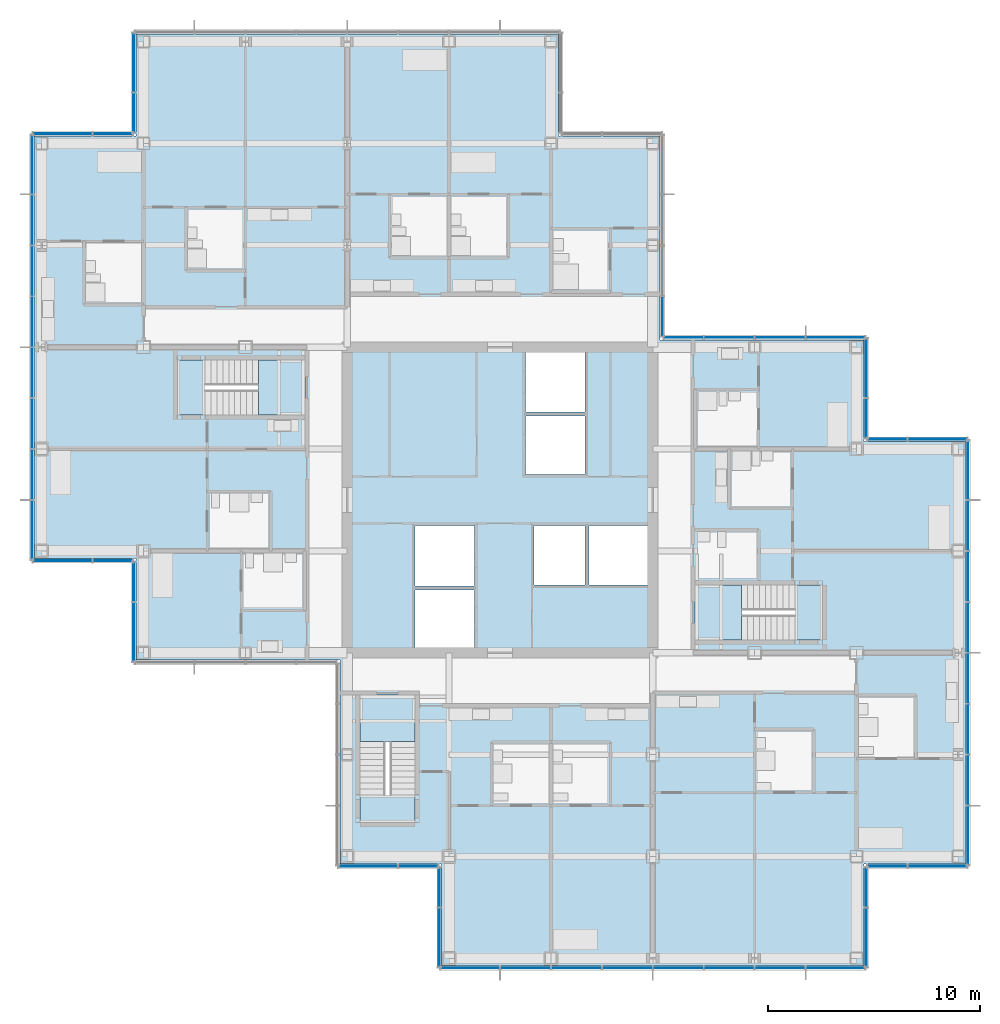
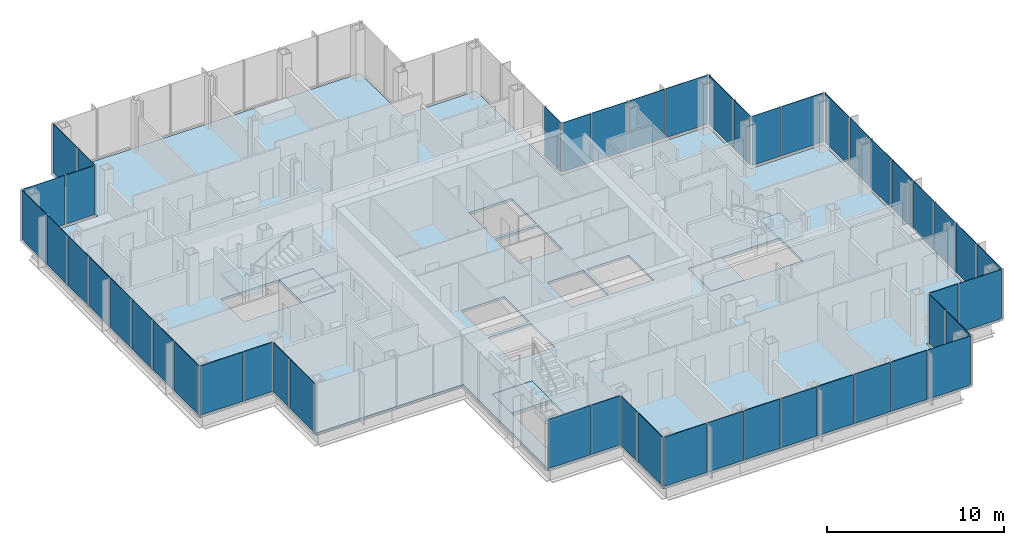
# One storey, part 12 of 20: 49 plates, 7 slabs, 18 elements without a shape of their own.
"""IFC4 building model written with IfcOpenShell, lengths in metres."""

from ifc_helpers import new_model, si_unit, direction, frame, origin, origin_2d, place, context, subcontext, project, spatial, polyline, rectangle, outline, extrude, material, layer, layer_set, type_object, element, aggregate, save


model = new_model("IFC4")

# Units and contexts
model_context = context("Model", 3, precision=1e-05, world=origin(), true_north=direction((0.0, 1.0)))
body_context = subcontext(model_context, "Body", "Model", "MODEL_VIEW")
ifc_project = project(units=[si_unit("LENGTHUNIT", "METRE"), si_unit("AREAUNIT", "SQUARE_METRE"), si_unit("VOLUMEUNIT", "CUBIC_METRE"), si_unit("PLANEANGLEUNIT", "RADIAN"), si_unit("MASSUNIT", "GRAM", prefix="KILO")], contexts=[model_context])

# Site, building, storey
site_placement = place(None, origin())
site = spatial("IfcSite", under=ifc_project, at=site_placement, CompositionType="ELEMENT")
building_placement = place(site_placement, origin())
building = spatial("IfcBuilding", under=site, at=building_placement, Name="Kvirike Care Tower", CompositionType="ELEMENT")
storey_placement = place(building_placement, frame((0.0, 0.0, 101.5)))
storey = spatial("IfcBuildingStorey", under=building, at=storey_placement, Name="L27", CompositionType="ELEMENT", Elevation=101.5)

# Slab
ifc_material_1 = material(Name="Concrete C35/45", Category="concrete")
ifc_layer_1 = layer(ifc_material_1, 0.169921875)
ifc_layer_set_1 = layer_set([ifc_layer_1], Name="FLOOR SLAB 170")
slab_type_1 = type_object("IfcSlabType", Name="FLOOR SLAB 170", PredefinedType="FLOOR", material=ifc_layer_set_1)
slab_1_placement = place(storey_placement, frame((0.0, 0.0, -0.169921875)))
element("IfcSlab", 1, at=slab_1_placement, inside=storey, type_object=slab_type_1, Name="Floor slab L27", PredefinedType="FLOOR", context=body_context, shape_type="SweptSolid", body=[
    extrude(outline(polyline([(43.550048828125, 18.85009765625), (43.550048828125, 38.75), (38.75, 38.75), (38.75, 43.550048828125), (29.14990234375, 43.550048828125), (29.14990234375, 53.14990234375), (24.35009765625, 53.14990234375), (24.35009765625, 57.949951171875), (4.449951171875, 57.949951171875), (4.449951171875, 53.14990234375), (-0.35009765625, 53.14990234375), (-0.35009765625, 33.25), (4.449951171875, 33.25), (4.449951171875, 28.449951171875), (14.050048828125, 28.449951171875), (14.050048828125, 18.85009765625), (18.85009765625, 18.85009765625), (18.85009765625, 14.050048828125), (38.75, 14.050048828125), (38.75, 18.85009765625), (43.550048828125, 18.85009765625)]), holes=[polyline([(17.60009765625, 29.050048828125), (17.60009765625, 31.75), (20.39990234375, 31.75), (20.39990234375, 29.050048828125), (17.60009765625, 29.050048828125)]), polyline([(17.60009765625, 31.949951171875), (17.60009765625, 34.800048828125), (20.39990234375, 34.800048828125), (20.39990234375, 31.949951171875), (17.60009765625, 31.949951171875)]), polyline([(22.800048828125, 37.199951171875), (22.800048828125, 39.949951171875), (25.60009765625, 39.949951171875), (25.60009765625, 37.199951171875), (22.800048828125, 37.199951171875)]), polyline([(22.800048828125, 40.14990234375), (22.800048828125, 42.949951171875), (25.60009765625, 42.949951171875), (25.60009765625, 40.14990234375), (22.800048828125, 40.14990234375)]), polyline([(23.199951171875, 32.0), (23.199951171875, 34.800048828125), (25.60009765625, 34.800048828125), (25.60009765625, 32.0), (23.199951171875, 32.0)]), polyline([(25.800048828125, 32.0), (25.800048828125, 34.800048828125), (28.550048828125, 34.800048828125), (28.550048828125, 32.0), (25.800048828125, 32.0)]), polyline([(12.39990234375, 42.60009765625), (12.39990234375, 40.0), (6.39990234375, 40.0), (6.39990234375, 42.60009765625), (12.39990234375, 42.60009765625)]), polyline([(30.800048828125, 29.39990234375), (30.800048828125, 32.0), (36.800048828125, 32.0), (36.800048828125, 29.39990234375), (30.800048828125, 29.39990234375)]), polyline([(15.0, 26.800048828125), (17.60009765625, 26.800048828125), (17.60009765625, 20.800048828125), (15.0, 20.800048828125), (15.0, 26.800048828125)])]), origin(), (0.0, 0.0, 1.0), 0.169921875),
])

# Stair, slabs
ifc_material_2 = material(Name="Concrete C35/45", Category="concrete")
stair_type = type_object("IfcStairType", Name="STAIR 20 RISERS", PredefinedType="HALF_TURN_STAIR", material=ifc_material_2)
stair_1_placement = place(storey_placement, origin())
stair_1 = element("IfcStair", 2, at=stair_1_placement, inside=storey, type_object=stair_type, Name="Stair 1 L27", PredefinedType="HALF_TURN_STAIR")
ifc_material_3 = material(Name="Concrete C35/45", Category="concrete")
ifc_layer_2 = layer(ifc_material_3, 0.199951171875)
ifc_layer_set_2 = layer_set([ifc_layer_2], Name="STAIR LANDING 200")
slab_type_2 = type_object("IfcSlabType", Name="STAIR LANDING 200", PredefinedType="LANDING", material=ifc_layer_set_2)
slab_2_placement = place(storey_placement, frame((0.0, 0.0, -0.199951171875)))
slab_2 = element("IfcSlab", 3, at=slab_2_placement, type_object=slab_type_2, Name="Stair S1 floor landing L27", PredefinedType="LANDING", context=body_context, shape_type="SweptSolid", body=[
    extrude(outline(polyline([(10.219970703125, 42.60009765625), (10.219970703125, 40.0), (12.39990234375, 40.0), (12.39990234375, 42.60009765625), (10.219970703125, 42.60009765625)])), origin(), (0.0, 0.0, 1.0), 0.199951171875),
])
slab_3_placement = place(storey_placement, frame((0.0, 0.0, 1.550048828125)))
slab_3 = element("IfcSlab", 4, at=slab_3_placement, type_object=slab_type_2, Name="Stair S1 half landing L27-L28", PredefinedType="LANDING", context=body_context, shape_type="SweptSolid", body=[
    extrude(outline(polyline([(6.39990234375, 42.60009765625), (6.39990234375, 40.0), (7.699951171875, 40.0), (7.699951171875, 42.60009765625), (6.39990234375, 42.60009765625)])), origin(), (0.0, 0.0, 1.0), 0.199951171875),
])
aggregate(stair_1, [slab_2, slab_3])

stair_2_placement = place(storey_placement, origin())
stair_2 = element("IfcStair", 5, at=stair_2_placement, inside=storey, type_object=stair_type, Name="Stair 2 L27", PredefinedType="HALF_TURN_STAIR")
slab_4_placement = place(storey_placement, frame((0.0, 0.0, -0.199951171875)))
slab_4 = element("IfcSlab", 6, at=slab_4_placement, type_object=slab_type_2, Name="Stair S2 floor landing L27", PredefinedType="LANDING", context=body_context, shape_type="SweptSolid", body=[
    extrude(outline(polyline([(32.97998046875, 29.39990234375), (32.97998046875, 32.0), (30.800048828125, 32.0), (30.800048828125, 29.39990234375), (32.97998046875, 29.39990234375)])), origin(), (0.0, 0.0, 1.0), 0.199951171875),
])
slab_5_placement = place(storey_placement, frame((0.0, 0.0, 1.550048828125)))
slab_5 = element("IfcSlab", 7, at=slab_5_placement, type_object=slab_type_2, Name="Stair S2 half landing L27-L28", PredefinedType="LANDING", context=body_context, shape_type="SweptSolid", body=[
    extrude(outline(polyline([(36.800048828125, 29.39990234375), (36.800048828125, 32.0), (35.5, 32.0), (35.5, 29.39990234375), (36.800048828125, 29.39990234375)])), origin(), (0.0, 0.0, 1.0), 0.199951171875),
])
aggregate(stair_2, [slab_4, slab_5])

stair_3_placement = place(storey_placement, origin())
stair_3 = element("IfcStair", 8, at=stair_3_placement, inside=storey, type_object=stair_type, Name="Stair 5 L27", PredefinedType="HALF_TURN_STAIR")
slab_6_placement = place(storey_placement, frame((0.0, 0.0, -0.199951171875)))
slab_6 = element("IfcSlab", 9, at=slab_6_placement, type_object=slab_type_2, Name="Stair S5 floor landing L27", PredefinedType="LANDING", context=body_context, shape_type="SweptSolid", body=[
    extrude(outline(polyline([(15.0, 24.6201171875), (17.60009765625, 24.6201171875), (17.60009765625, 26.800048828125), (15.0, 26.800048828125), (15.0, 24.6201171875)])), origin(), (0.0, 0.0, 1.0), 0.199951171875),
])
slab_7_placement = place(storey_placement, frame((0.0, 0.0, 1.550048828125)))
slab_7 = element("IfcSlab", 10, at=slab_7_placement, type_object=slab_type_2, Name="Stair S5 half landing L27-L28", PredefinedType="LANDING", context=body_context, shape_type="SweptSolid", body=[
    extrude(outline(polyline([(15.0, 20.800048828125), (17.60009765625, 20.800048828125), (17.60009765625, 22.10009765625), (15.0, 22.10009765625), (15.0, 20.800048828125)])), origin(), (0.0, 0.0, 1.0), 0.199951171875),
])
aggregate(stair_3, [slab_6, slab_7])

# Curtain wall, plates
ifc_material_4 = material(Name="Anodised aluminium stick system", Category="aluminium")
curtain_wall_type = type_object("IfcCurtainWallType", Name="CW-B STICK CURTAIN WALL", PredefinedType="NOTDEFINED", material=ifc_material_4)
curtain_wall_1_placement = place(storey_placement, origin())
curtain_wall_1 = element("IfcCurtainWall", 11, at=curtain_wall_1_placement, inside=storey, type_object=curtain_wall_type, Name="Curtain wall L27 face 1", PredefinedType="NOTDEFINED")
ifc_material_5 = material(Name="Tinted double glazed unit", Category="glass")
ifc_layer_3 = layer(ifc_material_5, 0.035888671875)
ifc_layer_set_3 = layer_set([ifc_layer_3], Name="TINTED VISION PANEL 36")
plate_type = type_object("IfcPlateType", Name="TINTED VISION PANEL 36", PredefinedType="CURTAIN_PANEL", material=ifc_layer_set_3)
plate_1_placement = place(storey_placement, frame((43.659912109375, 20.186279296875, 0.10009765625), z_axis=(0.0, 0.0, 1.0), x_axis=(0.0, 1.0, 0.0)))
plate_1 = element("IfcPlate", 12, at=plate_1_placement, type_object=plate_type, Name="CW-B panel L27 face 1.1", PredefinedType="CURTAIN_PANEL", context=body_context, shape_type="SweptSolid", body=[
    extrude(rectangle(XDim=2.762451171875, YDim=0.035888671875, at=origin_2d()), origin(), (0.0, 0.0, 1.0), 3.39990234375),
])
plate_2_placement = place(storey_placement, frame((43.659912109375, 22.800048828125, 0.10009765625), z_axis=(0.0, 0.0, 1.0), x_axis=(0.0, 1.0, 0.0)))
plate_2 = element("IfcPlate", 13, at=plate_2_placement, type_object=plate_type, Name="CW-B panel L27 face 1.2", PredefinedType="CURTAIN_PANEL", context=body_context, shape_type="SweptSolid", body=[
    extrude(rectangle(XDim=2.3349609375, YDim=0.035888671875, at=origin_2d()), origin(), (0.0, 0.0, 1.0), 3.39990234375),
])
plate_3_placement = place(storey_placement, frame((43.659912109375, 25.199951171875, 0.10009765625), z_axis=(0.0, 0.0, 1.0), x_axis=(0.0, 1.0, 0.0)))
plate_3 = element("IfcPlate", 14, at=plate_3_placement, type_object=plate_type, Name="CW-B panel L27 face 1.3", PredefinedType="CURTAIN_PANEL", context=body_context, shape_type="SweptSolid", body=[
    extrude(rectangle(XDim=2.3349609375, YDim=0.035888671875, at=origin_2d()), origin(), (0.0, 0.0, 1.0), 3.39990234375),
])
plate_4_placement = place(storey_placement, frame((43.659912109375, 27.60009765625, 0.10009765625), z_axis=(0.0, 0.0, 1.0), x_axis=(0.0, 1.0, 0.0)))
plate_4 = element("IfcPlate", 15, at=plate_4_placement, type_object=plate_type, Name="CW-B panel L27 face 1.4", PredefinedType="CURTAIN_PANEL", context=body_context, shape_type="SweptSolid", body=[
    extrude(rectangle(XDim=2.3349609375, YDim=0.035888671875, at=origin_2d()), origin(), (0.0, 0.0, 1.0), 3.39990234375),
])
plate_5_placement = place(storey_placement, frame((43.659912109375, 30.0, 0.10009765625), z_axis=(0.0, 0.0, 1.0), x_axis=(0.0, 1.0, 0.0)))
plate_5 = element("IfcPlate", 16, at=plate_5_placement, type_object=plate_type, Name="CW-B panel L27 face 1.5", PredefinedType="CURTAIN_PANEL", context=body_context, shape_type="SweptSolid", body=[
    extrude(rectangle(XDim=2.3349609375, YDim=0.035888671875, at=origin_2d()), origin(), (0.0, 0.0, 1.0), 3.39990234375),
])
plate_6_placement = place(storey_placement, frame((43.659912109375, 32.39990234375, 0.10009765625), z_axis=(0.0, 0.0, 1.0), x_axis=(0.0, 1.0, 0.0)))
plate_6 = element("IfcPlate", 17, at=plate_6_placement, type_object=plate_type, Name="CW-B panel L27 face 1.6", PredefinedType="CURTAIN_PANEL", context=body_context, shape_type="SweptSolid", body=[
    extrude(rectangle(XDim=2.3349609375, YDim=0.035888671875, at=origin_2d()), origin(), (0.0, 0.0, 1.0), 3.39990234375),
])
plate_7_placement = place(storey_placement, frame((43.659912109375, 34.800048828125, 0.10009765625), z_axis=(0.0, 0.0, 1.0), x_axis=(0.0, 1.0, 0.0)))
plate_7 = element("IfcPlate", 18, at=plate_7_placement, type_object=plate_type, Name="CW-B panel L27 face 1.7", PredefinedType="CURTAIN_PANEL", context=body_context, shape_type="SweptSolid", body=[
    extrude(rectangle(XDim=2.3349609375, YDim=0.035888671875, at=origin_2d()), origin(), (0.0, 0.0, 1.0), 3.39990234375),
])
plate_8_placement = place(storey_placement, frame((43.659912109375, 37.413818359375, 0.10009765625), z_axis=(0.0, 0.0, 1.0), x_axis=(0.0, 1.0, 0.0)))
plate_8 = element("IfcPlate", 19, at=plate_8_placement, type_object=plate_type, Name="CW-B panel L27 face 1.8", PredefinedType="CURTAIN_PANEL", context=body_context, shape_type="SweptSolid", body=[
    extrude(rectangle(XDim=2.762451171875, YDim=0.035888671875, at=origin_2d()), origin(), (0.0, 0.0, 1.0), 3.39990234375),
])
aggregate(curtain_wall_1, [plate_1, plate_2, plate_3, plate_4, plate_5, plate_6, plate_7, plate_8])

curtain_wall_2_placement = place(storey_placement, origin())
curtain_wall_2 = element("IfcCurtainWall", 20, at=curtain_wall_2_placement, inside=storey, type_object=curtain_wall_type, Name="Curtain wall L27 face 2", PredefinedType="NOTDEFINED")
plate_9_placement = place(storey_placement, frame((42.2138671875, 38.860107421875, 0.10009765625), z_axis=(0.0, 0.0, 1.0), x_axis=(-1.0, 0.0, 0.0)))
plate_9 = element("IfcPlate", 21, at=plate_9_placement, type_object=plate_type, Name="CW-B panel L27 face 2.1", PredefinedType="CURTAIN_PANEL", context=body_context, shape_type="SweptSolid", body=[
    extrude(rectangle(XDim=2.762451171875, YDim=0.035888671875, at=origin_2d()), origin(), (0.0, 0.0, 1.0), 3.39990234375),
])
plate_10_placement = place(storey_placement, frame((39.84619140625, 38.860107421875, 0.10009765625), z_axis=(0.0, 0.0, 1.0), x_axis=(-1.0, 0.0, 0.0)))
plate_10 = element("IfcPlate", 22, at=plate_10_placement, type_object=plate_type, Name="CW-B panel L27 face 2.2", PredefinedType="CURTAIN_PANEL", context=body_context, shape_type="SweptSolid", body=[
    extrude(rectangle(XDim=1.842529296875, YDim=0.035888671875, at=origin_2d()), origin(), (0.0, 0.0, 1.0), 3.39990234375),
])
aggregate(curtain_wall_2, [plate_9, plate_10])

curtain_wall_3_placement = place(storey_placement, origin())
curtain_wall_3 = element("IfcCurtainWall", 23, at=curtain_wall_3_placement, inside=storey, type_object=curtain_wall_type, Name="Curtain wall L27 face 3", PredefinedType="NOTDEFINED")
plate_11_placement = place(storey_placement, frame((38.860107421875, 39.84619140625, 0.10009765625), z_axis=(0.0, 0.0, 1.0), x_axis=(0.0, 1.0, 0.0)))
plate_11 = element("IfcPlate", 24, at=plate_11_placement, type_object=plate_type, Name="CW-B panel L27 face 3.1", PredefinedType="CURTAIN_PANEL", context=body_context, shape_type="SweptSolid", body=[
    extrude(rectangle(XDim=1.842529296875, YDim=0.035888671875, at=origin_2d()), origin(), (0.0, 0.0, 1.0), 3.39990234375),
])
plate_12_placement = place(storey_placement, frame((38.860107421875, 42.2138671875, 0.10009765625), z_axis=(0.0, 0.0, 1.0), x_axis=(0.0, 1.0, 0.0)))
plate_12 = element("IfcPlate", 25, at=plate_12_placement, type_object=plate_type, Name="CW-B panel L27 face 3.2", PredefinedType="CURTAIN_PANEL", context=body_context, shape_type="SweptSolid", body=[
    extrude(rectangle(XDim=2.762451171875, YDim=0.035888671875, at=origin_2d()), origin(), (0.0, 0.0, 1.0), 3.39990234375),
])
aggregate(curtain_wall_3, [plate_11, plate_12])

curtain_wall_4_placement = place(storey_placement, origin())
curtain_wall_4 = element("IfcCurtainWall", 26, at=curtain_wall_4_placement, inside=storey, type_object=curtain_wall_type, Name="Curtain wall L27 face 4", PredefinedType="NOTDEFINED")
plate_13_placement = place(storey_placement, frame((37.413818359375, 43.659912109375, 0.10009765625), z_axis=(0.0, 0.0, 1.0), x_axis=(-1.0, 0.0, 0.0)))
plate_13 = element("IfcPlate", 27, at=plate_13_placement, type_object=plate_type, Name="CW-B panel L27 face 4.1", PredefinedType="CURTAIN_PANEL", context=body_context, shape_type="SweptSolid", body=[
    extrude(rectangle(XDim=2.762451171875, YDim=0.035888671875, at=origin_2d()), origin(), (0.0, 0.0, 1.0), 3.39990234375),
])
plate_14_placement = place(storey_placement, frame((34.800048828125, 43.659912109375, 0.10009765625), z_axis=(0.0, 0.0, 1.0), x_axis=(-1.0, 0.0, 0.0)))
plate_14 = element("IfcPlate", 28, at=plate_14_placement, type_object=plate_type, Name="CW-B panel L27 face 4.2", PredefinedType="CURTAIN_PANEL", context=body_context, shape_type="SweptSolid", body=[
    extrude(rectangle(XDim=2.3349609375, YDim=0.035888671875, at=origin_2d()), origin(), (0.0, 0.0, 1.0), 3.39990234375),
])
plate_15_placement = place(storey_placement, frame((32.39990234375, 43.659912109375, 0.10009765625), z_axis=(0.0, 0.0, 1.0), x_axis=(-1.0, 0.0, 0.0)))
plate_15 = element("IfcPlate", 29, at=plate_15_placement, type_object=plate_type, Name="CW-B panel L27 face 4.3", PredefinedType="CURTAIN_PANEL", context=body_context, shape_type="SweptSolid", body=[
    extrude(rectangle(XDim=2.3349609375, YDim=0.035888671875, at=origin_2d()), origin(), (0.0, 0.0, 1.0), 3.39990234375),
])
plate_16_placement = place(storey_placement, frame((30.246337890625, 43.659912109375, 0.10009765625), z_axis=(0.0, 0.0, 1.0), x_axis=(-1.0, 0.0, 0.0)))
plate_16 = element("IfcPlate", 30, at=plate_16_placement, type_object=plate_type, Name="CW-B panel L27 face 4.4", PredefinedType="CURTAIN_PANEL", context=body_context, shape_type="SweptSolid", body=[
    extrude(rectangle(XDim=1.842529296875, YDim=0.035888671875, at=origin_2d()), origin(), (0.0, 0.0, 1.0), 3.39990234375),
])
aggregate(curtain_wall_4, [plate_13, plate_14, plate_15, plate_16])

# Curtain wall, plate
curtain_wall_5_placement = place(storey_placement, origin())
curtain_wall_5 = element("IfcCurtainWall", 31, at=curtain_wall_5_placement, inside=storey, type_object=curtain_wall_type, Name="Curtain wall L27 face 5", PredefinedType="NOTDEFINED")
plate_17_placement = place(storey_placement, frame((29.260009765625, 44.646240234375, 0.10009765625), z_axis=(0.0, 0.0, 1.0), x_axis=(0.0, 1.0, 0.0)))
plate_17 = element("IfcPlate", 32, at=plate_17_placement, type_object=plate_type, Name="CW-B panel L27 face 5.1", PredefinedType="CURTAIN_PANEL", context=body_context, shape_type="SweptSolid", body=[
    extrude(rectangle(XDim=1.842529296875, YDim=0.035888671875, at=origin_2d()), origin(), (0.0, 0.0, 1.0), 3.39990234375),
])
aggregate(curtain_wall_5, [plate_17])

# Curtain wall, plates
curtain_wall_6_placement = place(storey_placement, origin())
curtain_wall_6 = element("IfcCurtainWall", 33, at=curtain_wall_6_placement, inside=storey, type_object=curtain_wall_type, Name="Curtain wall L27 face 9", PredefinedType="NOTDEFINED")
plate_18_placement = place(storey_placement, frame((4.340087890625, 56.61376953125, 0.10009765625), z_axis=(0.0, 0.0, 1.0), x_axis=(0.0, -1.0, 0.0)))
plate_18 = element("IfcPlate", 34, at=plate_18_placement, type_object=plate_type, Name="CW-B panel L27 face 9.1", PredefinedType="CURTAIN_PANEL", context=body_context, shape_type="SweptSolid", body=[
    extrude(rectangle(XDim=2.762451171875, YDim=0.035888671875, at=origin_2d()), origin(), (0.0, 0.0, 1.0), 3.39990234375),
])
plate_19_placement = place(storey_placement, frame((4.340087890625, 54.246337890625, 0.10009765625), z_axis=(0.0, 0.0, 1.0), x_axis=(0.0, -1.0, 0.0)))
plate_19 = element("IfcPlate", 35, at=plate_19_placement, type_object=plate_type, Name="CW-B panel L27 face 9.2", PredefinedType="CURTAIN_PANEL", context=body_context, shape_type="SweptSolid", body=[
    extrude(rectangle(XDim=1.842529296875, YDim=0.035888671875, at=origin_2d()), origin(), (0.0, 0.0, 1.0), 3.39990234375),
])
aggregate(curtain_wall_6, [plate_18, plate_19])

curtain_wall_7_placement = place(storey_placement, origin())
curtain_wall_7 = element("IfcCurtainWall", 36, at=curtain_wall_7_placement, inside=storey, type_object=curtain_wall_type, Name="Curtain wall L27 face 10", PredefinedType="NOTDEFINED")
plate_20_placement = place(storey_placement, frame((3.353759765625, 53.260009765625, 0.10009765625), z_axis=(0.0, 0.0, 1.0), x_axis=(-1.0, 0.0, 0.0)))
plate_20 = element("IfcPlate", 37, at=plate_20_placement, type_object=plate_type, Name="CW-B panel L27 face 10.1", PredefinedType="CURTAIN_PANEL", context=body_context, shape_type="SweptSolid", body=[
    extrude(rectangle(XDim=1.842529296875, YDim=0.035888671875, at=origin_2d()), origin(), (0.0, 0.0, 1.0), 3.39990234375),
])
plate_21_placement = place(storey_placement, frame((0.986328125, 53.260009765625, 0.10009765625), z_axis=(0.0, 0.0, 1.0), x_axis=(-1.0, 0.0, 0.0)))
plate_21 = element("IfcPlate", 38, at=plate_21_placement, type_object=plate_type, Name="CW-B panel L27 face 10.2", PredefinedType="CURTAIN_PANEL", context=body_context, shape_type="SweptSolid", body=[
    extrude(rectangle(XDim=2.762451171875, YDim=0.035888671875, at=origin_2d()), origin(), (0.0, 0.0, 1.0), 3.39990234375),
])
aggregate(curtain_wall_7, [plate_20, plate_21])

curtain_wall_8_placement = place(storey_placement, origin())
curtain_wall_8 = element("IfcCurtainWall", 39, at=curtain_wall_8_placement, inside=storey, type_object=curtain_wall_type, Name="Curtain wall L27 face 11", PredefinedType="NOTDEFINED")
plate_22_placement = place(storey_placement, frame((-0.4599609375, 51.813720703125, 0.10009765625), z_axis=(0.0, 0.0, 1.0), x_axis=(0.0, -1.0, 0.0)))
plate_22 = element("IfcPlate", 40, at=plate_22_placement, type_object=plate_type, Name="CW-B panel L27 face 11.1", PredefinedType="CURTAIN_PANEL", context=body_context, shape_type="SweptSolid", body=[
    extrude(rectangle(XDim=2.762451171875, YDim=0.035888671875, at=origin_2d()), origin(), (0.0, 0.0, 1.0), 3.39990234375),
])
plate_23_placement = place(storey_placement, frame((-0.4599609375, 49.199951171875, 0.10009765625), z_axis=(0.0, 0.0, 1.0), x_axis=(0.0, -1.0, 0.0)))
plate_23 = element("IfcPlate", 41, at=plate_23_placement, type_object=plate_type, Name="CW-B panel L27 face 11.2", PredefinedType="CURTAIN_PANEL", context=body_context, shape_type="SweptSolid", body=[
    extrude(rectangle(XDim=2.3349609375, YDim=0.035888671875, at=origin_2d()), origin(), (0.0, 0.0, 1.0), 3.39990234375),
])
plate_24_placement = place(storey_placement, frame((-0.4599609375, 46.800048828125, 0.10009765625), z_axis=(0.0, 0.0, 1.0), x_axis=(0.0, -1.0, 0.0)))
plate_24 = element("IfcPlate", 42, at=plate_24_placement, type_object=plate_type, Name="CW-B panel L27 face 11.3", PredefinedType="CURTAIN_PANEL", context=body_context, shape_type="SweptSolid", body=[
    extrude(rectangle(XDim=2.3349609375, YDim=0.035888671875, at=origin_2d()), origin(), (0.0, 0.0, 1.0), 3.39990234375),
])
plate_25_placement = place(storey_placement, frame((-0.4599609375, 44.39990234375, 0.10009765625), z_axis=(0.0, 0.0, 1.0), x_axis=(0.0, -1.0, 0.0)))
plate_25 = element("IfcPlate", 43, at=plate_25_placement, type_object=plate_type, Name="CW-B panel L27 face 11.4", PredefinedType="CURTAIN_PANEL", context=body_context, shape_type="SweptSolid", body=[
    extrude(rectangle(XDim=2.3349609375, YDim=0.035888671875, at=origin_2d()), origin(), (0.0, 0.0, 1.0), 3.39990234375),
])
plate_26_placement = place(storey_placement, frame((-0.4599609375, 42.0, 0.10009765625), z_axis=(0.0, 0.0, 1.0), x_axis=(0.0, -1.0, 0.0)))
plate_26 = element("IfcPlate", 44, at=plate_26_placement, type_object=plate_type, Name="CW-B panel L27 face 11.5", PredefinedType="CURTAIN_PANEL", context=body_context, shape_type="SweptSolid", body=[
    extrude(rectangle(XDim=2.3349609375, YDim=0.035888671875, at=origin_2d()), origin(), (0.0, 0.0, 1.0), 3.39990234375),
])
plate_27_placement = place(storey_placement, frame((-0.4599609375, 39.60009765625, 0.10009765625), z_axis=(0.0, 0.0, 1.0), x_axis=(0.0, -1.0, 0.0)))
plate_27 = element("IfcPlate", 45, at=plate_27_placement, type_object=plate_type, Name="CW-B panel L27 face 11.6", PredefinedType="CURTAIN_PANEL", context=body_context, shape_type="SweptSolid", body=[
    extrude(rectangle(XDim=2.3349609375, YDim=0.035888671875, at=origin_2d()), origin(), (0.0, 0.0, 1.0), 3.39990234375),
])
plate_28_placement = place(storey_placement, frame((-0.4599609375, 37.199951171875, 0.10009765625), z_axis=(0.0, 0.0, 1.0), x_axis=(0.0, -1.0, 0.0)))
plate_28 = element("IfcPlate", 46, at=plate_28_placement, type_object=plate_type, Name="CW-B panel L27 face 11.7", PredefinedType="CURTAIN_PANEL", context=body_context, shape_type="SweptSolid", body=[
    extrude(rectangle(XDim=2.3349609375, YDim=0.035888671875, at=origin_2d()), origin(), (0.0, 0.0, 1.0), 3.39990234375),
])
plate_29_placement = place(storey_placement, frame((-0.4599609375, 34.586181640625, 0.10009765625), z_axis=(0.0, 0.0, 1.0), x_axis=(0.0, -1.0, 0.0)))
plate_29 = element("IfcPlate", 47, at=plate_29_placement, type_object=plate_type, Name="CW-B panel L27 face 11.8", PredefinedType="CURTAIN_PANEL", context=body_context, shape_type="SweptSolid", body=[
    extrude(rectangle(XDim=2.762451171875, YDim=0.035888671875, at=origin_2d()), origin(), (0.0, 0.0, 1.0), 3.39990234375),
])
aggregate(curtain_wall_8, [plate_22, plate_23, plate_24, plate_25, plate_26, plate_27, plate_28, plate_29])

curtain_wall_9_placement = place(storey_placement, origin())
curtain_wall_9 = element("IfcCurtainWall", 48, at=curtain_wall_9_placement, inside=storey, type_object=curtain_wall_type, Name="Curtain wall L27 face 12", PredefinedType="NOTDEFINED")
plate_30_placement = place(storey_placement, frame((0.986328125, 33.139892578125, 0.10009765625), z_axis=(0.0, 0.0, 1.0), x_axis=(1.0, 0.0, 0.0)))
plate_30 = element("IfcPlate", 49, at=plate_30_placement, type_object=plate_type, Name="CW-B panel L27 face 12.1", PredefinedType="CURTAIN_PANEL", context=body_context, shape_type="SweptSolid", body=[
    extrude(rectangle(XDim=2.762451171875, YDim=0.035888671875, at=origin_2d()), origin(), (0.0, 0.0, 1.0), 3.39990234375),
])
plate_31_placement = place(storey_placement, frame((3.353759765625, 33.139892578125, 0.10009765625), z_axis=(0.0, 0.0, 1.0), x_axis=(1.0, 0.0, 0.0)))
plate_31 = element("IfcPlate", 50, at=plate_31_placement, type_object=plate_type, Name="CW-B panel L27 face 12.2", PredefinedType="CURTAIN_PANEL", context=body_context, shape_type="SweptSolid", body=[
    extrude(rectangle(XDim=1.842529296875, YDim=0.035888671875, at=origin_2d()), origin(), (0.0, 0.0, 1.0), 3.39990234375),
])
aggregate(curtain_wall_9, [plate_30, plate_31])

curtain_wall_10_placement = place(storey_placement, origin())
curtain_wall_10 = element("IfcCurtainWall", 51, at=curtain_wall_10_placement, inside=storey, type_object=curtain_wall_type, Name="Curtain wall L27 face 13", PredefinedType="NOTDEFINED")
plate_32_placement = place(storey_placement, frame((4.340087890625, 32.15380859375, 0.10009765625), z_axis=(0.0, 0.0, 1.0), x_axis=(0.0, -1.0, 0.0)))
plate_32 = element("IfcPlate", 52, at=plate_32_placement, type_object=plate_type, Name="CW-B panel L27 face 13.1", PredefinedType="CURTAIN_PANEL", context=body_context, shape_type="SweptSolid", body=[
    extrude(rectangle(XDim=1.842529296875, YDim=0.035888671875, at=origin_2d()), origin(), (0.0, 0.0, 1.0), 3.39990234375),
])
plate_33_placement = place(storey_placement, frame((4.340087890625, 29.7861328125, 0.10009765625), z_axis=(0.0, 0.0, 1.0), x_axis=(0.0, -1.0, 0.0)))
plate_33 = element("IfcPlate", 53, at=plate_33_placement, type_object=plate_type, Name="CW-B panel L27 face 13.2", PredefinedType="CURTAIN_PANEL", context=body_context, shape_type="SweptSolid", body=[
    extrude(rectangle(XDim=2.762451171875, YDim=0.035888671875, at=origin_2d()), origin(), (0.0, 0.0, 1.0), 3.39990234375),
])
aggregate(curtain_wall_10, [plate_32, plate_33])

curtain_wall_11_placement = place(storey_placement, origin())
curtain_wall_11 = element("IfcCurtainWall", 54, at=curtain_wall_11_placement, inside=storey, type_object=curtain_wall_type, Name="Curtain wall L27 face 16", PredefinedType="NOTDEFINED")
plate_34_placement = place(storey_placement, frame((15.38623046875, 18.739990234375, 0.10009765625), z_axis=(0.0, 0.0, 1.0), x_axis=(1.0, 0.0, 0.0)))
plate_34 = element("IfcPlate", 55, at=plate_34_placement, type_object=plate_type, Name="CW-B panel L27 face 16.1", PredefinedType="CURTAIN_PANEL", context=body_context, shape_type="SweptSolid", body=[
    extrude(rectangle(XDim=2.762451171875, YDim=0.035888671875, at=origin_2d()), origin(), (0.0, 0.0, 1.0), 3.39990234375),
])
plate_35_placement = place(storey_placement, frame((17.753662109375, 18.739990234375, 0.10009765625), z_axis=(0.0, 0.0, 1.0), x_axis=(1.0, 0.0, 0.0)))
plate_35 = element("IfcPlate", 56, at=plate_35_placement, type_object=plate_type, Name="CW-B panel L27 face 16.2", PredefinedType="CURTAIN_PANEL", context=body_context, shape_type="SweptSolid", body=[
    extrude(rectangle(XDim=1.842529296875, YDim=0.035888671875, at=origin_2d()), origin(), (0.0, 0.0, 1.0), 3.39990234375),
])
aggregate(curtain_wall_11, [plate_34, plate_35])

curtain_wall_12_placement = place(storey_placement, origin())
curtain_wall_12 = element("IfcCurtainWall", 57, at=curtain_wall_12_placement, inside=storey, type_object=curtain_wall_type, Name="Curtain wall L27 face 17", PredefinedType="NOTDEFINED")
plate_36_placement = place(storey_placement, frame((18.739990234375, 17.753662109375, 0.10009765625), z_axis=(0.0, 0.0, 1.0), x_axis=(0.0, -1.0, 0.0)))
plate_36 = element("IfcPlate", 58, at=plate_36_placement, type_object=plate_type, Name="CW-B panel L27 face 17.1", PredefinedType="CURTAIN_PANEL", context=body_context, shape_type="SweptSolid", body=[
    extrude(rectangle(XDim=1.842529296875, YDim=0.035888671875, at=origin_2d()), origin(), (0.0, 0.0, 1.0), 3.39990234375),
])
plate_37_placement = place(storey_placement, frame((18.739990234375, 15.38623046875, 0.10009765625), z_axis=(0.0, 0.0, 1.0), x_axis=(0.0, -1.0, 0.0)))
plate_37 = element("IfcPlate", 59, at=plate_37_placement, type_object=plate_type, Name="CW-B panel L27 face 17.2", PredefinedType="CURTAIN_PANEL", context=body_context, shape_type="SweptSolid", body=[
    extrude(rectangle(XDim=2.762451171875, YDim=0.035888671875, at=origin_2d()), origin(), (0.0, 0.0, 1.0), 3.39990234375),
])
aggregate(curtain_wall_12, [plate_36, plate_37])

curtain_wall_13_placement = place(storey_placement, origin())
curtain_wall_13 = element("IfcCurtainWall", 60, at=curtain_wall_13_placement, inside=storey, type_object=curtain_wall_type, Name="Curtain wall L27 face 18", PredefinedType="NOTDEFINED")
plate_38_placement = place(storey_placement, frame((20.186279296875, 13.93994140625, 0.10009765625), z_axis=(0.0, 0.0, 1.0), x_axis=(1.0, 0.0, 0.0)))
plate_38 = element("IfcPlate", 61, at=plate_38_placement, type_object=plate_type, Name="CW-B panel L27 face 18.1", PredefinedType="CURTAIN_PANEL", context=body_context, shape_type="SweptSolid", body=[
    extrude(rectangle(XDim=2.762451171875, YDim=0.035888671875, at=origin_2d()), origin(), (0.0, 0.0, 1.0), 3.39990234375),
])
plate_39_placement = place(storey_placement, frame((22.800048828125, 13.93994140625, 0.10009765625), z_axis=(0.0, 0.0, 1.0), x_axis=(1.0, 0.0, 0.0)))
plate_39 = element("IfcPlate", 62, at=plate_39_placement, type_object=plate_type, Name="CW-B panel L27 face 18.2", PredefinedType="CURTAIN_PANEL", context=body_context, shape_type="SweptSolid", body=[
    extrude(rectangle(XDim=2.3349609375, YDim=0.035888671875, at=origin_2d()), origin(), (0.0, 0.0, 1.0), 3.39990234375),
])
plate_40_placement = place(storey_placement, frame((25.199951171875, 13.93994140625, 0.10009765625), z_axis=(0.0, 0.0, 1.0), x_axis=(1.0, 0.0, 0.0)))
plate_40 = element("IfcPlate", 63, at=plate_40_placement, type_object=plate_type, Name="CW-B panel L27 face 18.3", PredefinedType="CURTAIN_PANEL", context=body_context, shape_type="SweptSolid", body=[
    extrude(rectangle(XDim=2.3349609375, YDim=0.035888671875, at=origin_2d()), origin(), (0.0, 0.0, 1.0), 3.39990234375),
])
plate_41_placement = place(storey_placement, frame((27.60009765625, 13.93994140625, 0.10009765625), z_axis=(0.0, 0.0, 1.0), x_axis=(1.0, 0.0, 0.0)))
plate_41 = element("IfcPlate", 64, at=plate_41_placement, type_object=plate_type, Name="CW-B panel L27 face 18.4", PredefinedType="CURTAIN_PANEL", context=body_context, shape_type="SweptSolid", body=[
    extrude(rectangle(XDim=2.3349609375, YDim=0.035888671875, at=origin_2d()), origin(), (0.0, 0.0, 1.0), 3.39990234375),
])
plate_42_placement = place(storey_placement, frame((30.0, 13.93994140625, 0.10009765625), z_axis=(0.0, 0.0, 1.0), x_axis=(1.0, 0.0, 0.0)))
plate_42 = element("IfcPlate", 65, at=plate_42_placement, type_object=plate_type, Name="CW-B panel L27 face 18.5", PredefinedType="CURTAIN_PANEL", context=body_context, shape_type="SweptSolid", body=[
    extrude(rectangle(XDim=2.3349609375, YDim=0.035888671875, at=origin_2d()), origin(), (0.0, 0.0, 1.0), 3.39990234375),
])
plate_43_placement = place(storey_placement, frame((32.39990234375, 13.93994140625, 0.10009765625), z_axis=(0.0, 0.0, 1.0), x_axis=(1.0, 0.0, 0.0)))
plate_43 = element("IfcPlate", 66, at=plate_43_placement, type_object=plate_type, Name="CW-B panel L27 face 18.6", PredefinedType="CURTAIN_PANEL", context=body_context, shape_type="SweptSolid", body=[
    extrude(rectangle(XDim=2.3349609375, YDim=0.035888671875, at=origin_2d()), origin(), (0.0, 0.0, 1.0), 3.39990234375),
])
plate_44_placement = place(storey_placement, frame((34.800048828125, 13.93994140625, 0.10009765625), z_axis=(0.0, 0.0, 1.0), x_axis=(1.0, 0.0, 0.0)))
plate_44 = element("IfcPlate", 67, at=plate_44_placement, type_object=plate_type, Name="CW-B panel L27 face 18.7", PredefinedType="CURTAIN_PANEL", context=body_context, shape_type="SweptSolid", body=[
    extrude(rectangle(XDim=2.3349609375, YDim=0.035888671875, at=origin_2d()), origin(), (0.0, 0.0, 1.0), 3.39990234375),
])
plate_45_placement = place(storey_placement, frame((37.413818359375, 13.93994140625, 0.10009765625), z_axis=(0.0, 0.0, 1.0), x_axis=(1.0, 0.0, 0.0)))
plate_45 = element("IfcPlate", 68, at=plate_45_placement, type_object=plate_type, Name="CW-B panel L27 face 18.8", PredefinedType="CURTAIN_PANEL", context=body_context, shape_type="SweptSolid", body=[
    extrude(rectangle(XDim=2.762451171875, YDim=0.035888671875, at=origin_2d()), origin(), (0.0, 0.0, 1.0), 3.39990234375),
])
aggregate(curtain_wall_13, [plate_38, plate_39, plate_40, plate_41, plate_42, plate_43, plate_44, plate_45])

curtain_wall_14_placement = place(storey_placement, origin())
curtain_wall_14 = element("IfcCurtainWall", 69, at=curtain_wall_14_placement, inside=storey, type_object=curtain_wall_type, Name="Curtain wall L27 face 19", PredefinedType="NOTDEFINED")
plate_46_placement = place(storey_placement, frame((38.860107421875, 15.38623046875, 0.10009765625), z_axis=(0.0, 0.0, 1.0), x_axis=(0.0, 1.0, 0.0)))
plate_46 = element("IfcPlate", 70, at=plate_46_placement, type_object=plate_type, Name="CW-B panel L27 face 19.1", PredefinedType="CURTAIN_PANEL", context=body_context, shape_type="SweptSolid", body=[
    extrude(rectangle(XDim=2.762451171875, YDim=0.035888671875, at=origin_2d()), origin(), (0.0, 0.0, 1.0), 3.39990234375),
])
plate_47_placement = place(storey_placement, frame((38.860107421875, 17.753662109375, 0.10009765625), z_axis=(0.0, 0.0, 1.0), x_axis=(0.0, 1.0, 0.0)))
plate_47 = element("IfcPlate", 71, at=plate_47_placement, type_object=plate_type, Name="CW-B panel L27 face 19.2", PredefinedType="CURTAIN_PANEL", context=body_context, shape_type="SweptSolid", body=[
    extrude(rectangle(XDim=1.842529296875, YDim=0.035888671875, at=origin_2d()), origin(), (0.0, 0.0, 1.0), 3.39990234375),
])
aggregate(curtain_wall_14, [plate_46, plate_47])

curtain_wall_15_placement = place(storey_placement, origin())
curtain_wall_15 = element("IfcCurtainWall", 72, at=curtain_wall_15_placement, inside=storey, type_object=curtain_wall_type, Name="Curtain wall L27 face 20", PredefinedType="NOTDEFINED")
plate_48_placement = place(storey_placement, frame((39.84619140625, 18.739990234375, 0.10009765625), z_axis=(0.0, 0.0, 1.0), x_axis=(1.0, 0.0, 0.0)))
plate_48 = element("IfcPlate", 73, at=plate_48_placement, type_object=plate_type, Name="CW-B panel L27 face 20.1", PredefinedType="CURTAIN_PANEL", context=body_context, shape_type="SweptSolid", body=[
    extrude(rectangle(XDim=1.842529296875, YDim=0.035888671875, at=origin_2d()), origin(), (0.0, 0.0, 1.0), 3.39990234375),
])
plate_49_placement = place(storey_placement, frame((42.2138671875, 18.739990234375, 0.10009765625), z_axis=(0.0, 0.0, 1.0), x_axis=(1.0, 0.0, 0.0)))
plate_49 = element("IfcPlate", 74, at=plate_49_placement, type_object=plate_type, Name="CW-B panel L27 face 20.2", PredefinedType="CURTAIN_PANEL", context=body_context, shape_type="SweptSolid", body=[
    extrude(rectangle(XDim=2.762451171875, YDim=0.035888671875, at=origin_2d()), origin(), (0.0, 0.0, 1.0), 3.39990234375),
])
aggregate(curtain_wall_15, [plate_48, plate_49])

save(model, "model.ifc")
